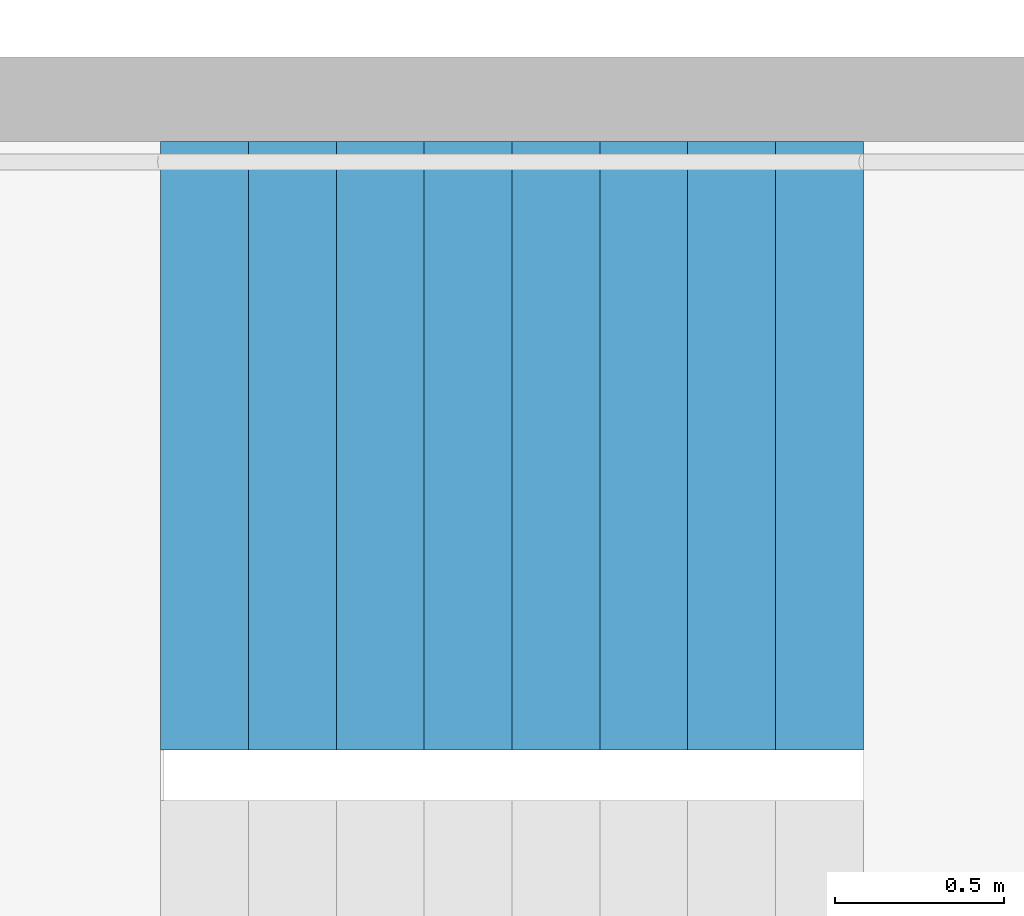
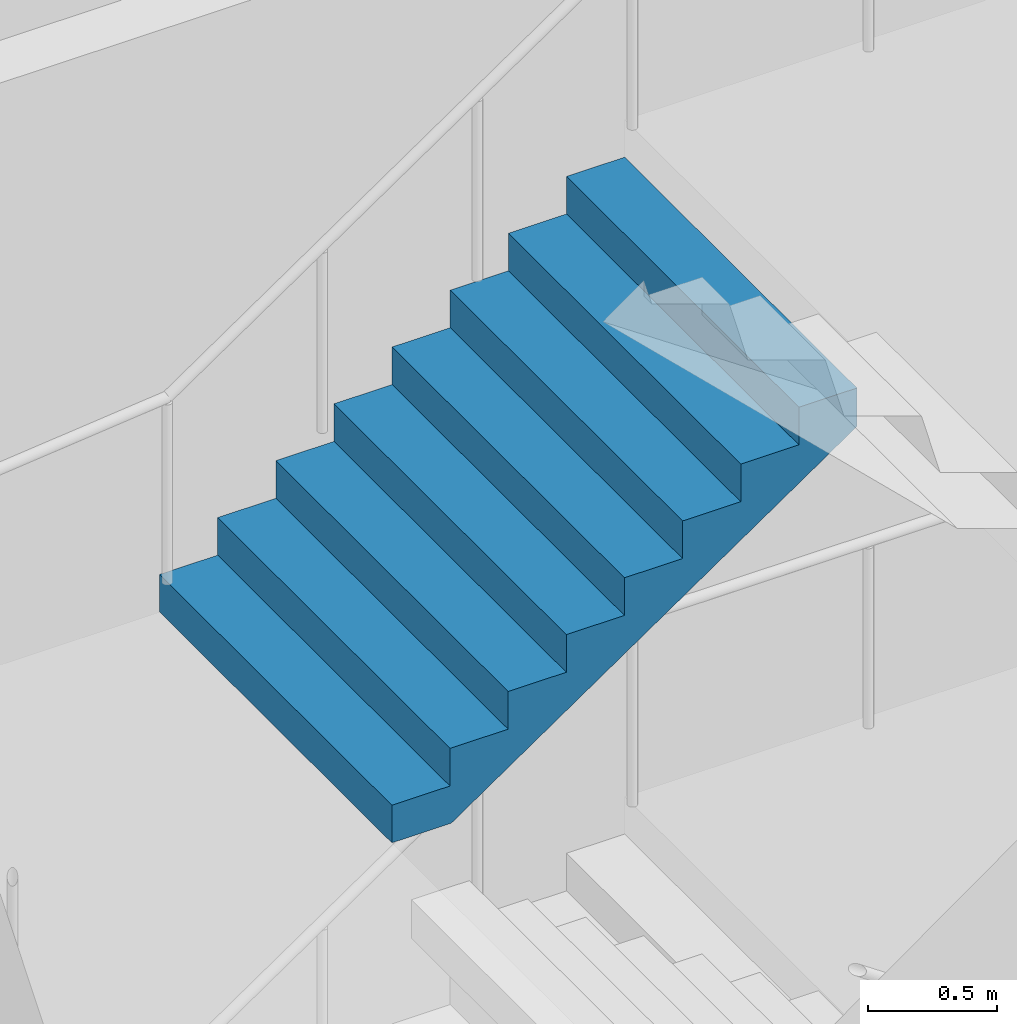
# One storey, part 27 of 42: 1 stair flight, 1 element without a shape of its own.
"""IFC4 building model written with IfcOpenShell, lengths in metres."""

from ifc_helpers import new_model, si_unit, direction, frame, origin, place, context, subcontext, project, spatial, triangles, material, type_object, element, aggregate, save


model = new_model("IFC4")

# Units and contexts
model_context = context("Model", 3, precision=1e-05, world=origin(), true_north=direction((0.0, 1.0)))
body_context = subcontext(model_context, "Body", "Model", "MODEL_VIEW")
ifc_project = project(units=[si_unit("LENGTHUNIT", "METRE"), si_unit("AREAUNIT", "SQUARE_METRE"), si_unit("VOLUMEUNIT", "CUBIC_METRE"), si_unit("PLANEANGLEUNIT", "RADIAN"), si_unit("MASSUNIT", "GRAM", prefix="KILO")], contexts=[model_context])

# Site, building, storey
site_placement = place(None, origin())
site = spatial("IfcSite", under=ifc_project, at=site_placement, CompositionType="ELEMENT")
building_placement = place(site_placement, origin())
building = spatial("IfcBuilding", under=site, at=building_placement, Name="Hakoniwa Tower and Hamabe Station Hall", CompositionType="ELEMENT")
storey_placement = place(building_placement, frame((0.0, 0.0, 232.60009765625)))
storey = spatial("IfcBuildingStorey", under=building, at=storey_placement, Name="L66", CompositionType="ELEMENT", Elevation=232.60009765625)

# Stair, stair flight
ifc_material_1 = material(Name="Concrete C40", Category="concrete")
stair_type = type_object("IfcStairType", Name="ESCAPE STAIR 1800", PredefinedType="HALF_TURN_STAIR", material=ifc_material_1)
stair_placement = place(storey_placement, origin())
stair = element("IfcStair", 1, at=stair_placement, inside=storey, type_object=stair_type, Name="Escape stair ST-4 L66", PredefinedType="HALF_TURN_STAIR")
ifc_material_2 = material(Name="Concrete C40", Category="concrete")
stair_flight_type = type_object("IfcStairFlightType", Name="STAIR FLIGHT 1800", PredefinedType="STRAIGHT", material=ifc_material_2)
stair_flight_placement = place(storey_placement, frame((23.39990234375, -4.64990234375, 3.199951171875), z_axis=(0.0, 0.0, 1.0), x_axis=(1.0, 0.0, 0.0)))
stair_flight = element("IfcStairFlight", 2, at=stair_flight_placement, type_object=stair_flight_type, Name="ST-4 flight 3", NumberOfRisers=9, NumberOfTreads=8, PredefinedType="STRAIGHT", RiserHeight=0.177777778, TreadLength=0.26, context=body_context, shape_type="Tessellation", body=[
    triangles([(0.0, 0.89990234375, 0.0), (0.260009765625, 0.89990234375, 0.0), (0.265625, 0.89990234375, 0.0), (0.52001953125, 0.89990234375, 0.174072265625), (0.780029296875, 0.89990234375, 0.351806640625), (1.0400390625, 0.89990234375, 0.529541015625), (1.300048828125, 0.89990234375, 0.707275390625), (1.56005859375, 0.89990234375, 0.885009765625), (1.820068359375, 0.89990234375, 1.062744140625), (2.080078125, 0.89990234375, 1.24072265625), (2.080078125, 0.89990234375, 1.422119140625), (1.820068359375, 0.89990234375, 1.422119140625), (1.820068359375, 0.89990234375, 1.244384765625), (1.56005859375, 0.89990234375, 1.244384765625), (1.56005859375, 0.89990234375, 1.066650390625), (1.300048828125, 0.89990234375, 1.066650390625), (1.300048828125, 0.89990234375, 0.888916015625), (1.0400390625, 0.89990234375, 0.888916015625), (1.0400390625, 0.89990234375, 0.711181640625), (0.780029296875, 0.89990234375, 0.711181640625), (0.780029296875, 0.89990234375, 0.533447265625), (0.52001953125, 0.89990234375, 0.533447265625), (0.52001953125, 0.89990234375, 0.35546875), (0.265625, 0.89990234375, 0.35546875), (0.260009765625, 0.89990234375, 0.35546875), (0.260009765625, 0.89990234375, 0.177734375), (0.0, 0.89990234375, 0.177734375), (0.0, 0.06005859375, 0.0), (0.260009765625, 0.06005859375, 0.0), (0.265625, 0.06005859375, 0.0), (0.52001953125, 0.06005859375, 0.174072265625), (0.780029296875, 0.06005859375, 0.351806640625), (1.0400390625, 0.06005859375, 0.529541015625), (1.300048828125, 0.06005859375, 0.707275390625), (1.56005859375, 0.06005859375, 0.885009765625), (1.820068359375, 0.06005859375, 1.062744140625), (2.080078125, 0.06005859375, 1.24072265625), (2.080078125, 0.06005859375, 1.422119140625), (1.820068359375, 0.06005859375, 1.422119140625), (1.820068359375, 0.06005859375, 1.244384765625), (1.56005859375, 0.06005859375, 1.244384765625), (1.56005859375, 0.06005859375, 1.066650390625), (1.300048828125, 0.06005859375, 1.066650390625), (1.300048828125, 0.06005859375, 0.888916015625), (1.0400390625, 0.06005859375, 0.888916015625), (1.0400390625, 0.06005859375, 0.711181640625), (0.780029296875, 0.06005859375, 0.711181640625), (0.780029296875, 0.06005859375, 0.533447265625), (0.52001953125, 0.06005859375, 0.533447265625), (0.52001953125, 0.06005859375, 0.35546875), (0.265625, 0.06005859375, 0.35546875), (0.260009765625, 0.06005859375, 0.35546875), (0.260009765625, 0.06005859375, 0.177734375), (0.0, 0.06005859375, 0.177734375), (0.0, 0.04296875, 0.0), (0.260009765625, 0.04296875, 0.0), (0.265625, 0.04296875, 0.0), (0.52001953125, 0.04296875, 0.174072265625), (0.780029296875, 0.04296875, 0.351806640625), (1.0400390625, 0.04296875, 0.529541015625), (1.300048828125, 0.04296875, 0.707275390625), (1.56005859375, 0.04296875, 0.885009765625), (1.820068359375, 0.04296875, 1.062744140625), (2.080078125, 0.04296875, 1.24072265625), (2.080078125, 0.04296875, 1.422119140625), (1.820068359375, 0.04296875, 1.422119140625), (1.820068359375, 0.04296875, 1.244384765625), (1.56005859375, 0.04296875, 1.244384765625), (1.56005859375, 0.04296875, 1.066650390625), (1.300048828125, 0.04296875, 1.066650390625), (1.300048828125, 0.04296875, 0.888916015625), (1.0400390625, 0.04296875, 0.888916015625), (1.0400390625, 0.04296875, 0.711181640625), (0.780029296875, 0.04296875, 0.711181640625), (0.780029296875, 0.04296875, 0.533447265625), (0.52001953125, 0.04296875, 0.533447265625), (0.52001953125, 0.04296875, 0.35546875), (0.265625, 0.04296875, 0.35546875), (0.260009765625, 0.04296875, 0.35546875), (0.260009765625, 0.04296875, 0.177734375), (0.0, 0.04296875, 0.177734375), (0.0, 0.025634765625, 0.0), (0.260009765625, 0.025634765625, 0.0), (0.265625, 0.025634765625, 0.0), (0.52001953125, 0.025634765625, 0.174072265625), (0.780029296875, 0.025634765625, 0.351806640625), (1.0400390625, 0.025634765625, 0.529541015625), (1.300048828125, 0.025634765625, 0.707275390625), (1.56005859375, 0.025634765625, 0.885009765625), (1.820068359375, 0.025634765625, 1.062744140625), (2.080078125, 0.025634765625, 1.24072265625), (2.080078125, 0.025634765625, 1.422119140625), (1.820068359375, 0.025634765625, 1.422119140625), (1.820068359375, 0.025634765625, 1.244384765625), (1.56005859375, 0.025634765625, 1.244384765625), (1.56005859375, 0.025634765625, 1.066650390625), (1.300048828125, 0.025634765625, 1.066650390625), (1.300048828125, 0.025634765625, 0.888916015625), (1.0400390625, 0.025634765625, 0.888916015625), (1.0400390625, 0.025634765625, 0.711181640625), (0.780029296875, 0.025634765625, 0.711181640625), (0.780029296875, 0.025634765625, 0.533447265625), (0.52001953125, 0.025634765625, 0.533447265625), (0.52001953125, 0.025634765625, 0.35546875), (0.265625, 0.025634765625, 0.35546875), (0.260009765625, 0.025634765625, 0.35546875), (0.260009765625, 0.025634765625, 0.177734375), (0.0, 0.025634765625, 0.177734375), (0.0, 0.008544921875, 0.0), (0.260009765625, 0.008544921875, 0.0), (0.265625, 0.008544921875, 0.0), (0.52001953125, 0.008544921875, 0.174072265625), (0.780029296875, 0.008544921875, 0.351806640625), (1.0400390625, 0.008544921875, 0.529541015625), (1.300048828125, 0.008544921875, 0.707275390625), (1.56005859375, 0.008544921875, 0.885009765625), (1.820068359375, 0.008544921875, 1.062744140625), (2.080078125, 0.008544921875, 1.24072265625), (2.080078125, 0.008544921875, 1.422119140625), (1.820068359375, 0.008544921875, 1.422119140625), (1.820068359375, 0.008544921875, 1.244384765625), (1.56005859375, 0.008544921875, 1.244384765625), (1.56005859375, 0.008544921875, 1.066650390625), (1.300048828125, 0.008544921875, 1.066650390625), (1.300048828125, 0.008544921875, 0.888916015625), (1.0400390625, 0.008544921875, 0.888916015625), (1.0400390625, 0.008544921875, 0.711181640625), (0.780029296875, 0.008544921875, 0.711181640625), (0.780029296875, 0.008544921875, 0.533447265625), (0.52001953125, 0.008544921875, 0.533447265625), (0.52001953125, 0.008544921875, 0.35546875), (0.265625, 0.008544921875, 0.35546875), (0.260009765625, 0.008544921875, 0.35546875), (0.260009765625, 0.008544921875, 0.177734375), (0.0, 0.008544921875, 0.177734375), (0.0, -0.008544921875, 0.0), (0.260009765625, -0.008544921875, 0.0), (0.265625, -0.008544921875, 0.0), (0.52001953125, -0.008544921875, 0.174072265625), (0.780029296875, -0.008544921875, 0.351806640625), (1.0400390625, -0.008544921875, 0.529541015625), (1.300048828125, -0.008544921875, 0.707275390625), (1.56005859375, -0.008544921875, 0.885009765625), (1.820068359375, -0.008544921875, 1.062744140625), (2.080078125, -0.008544921875, 1.24072265625), (2.080078125, -0.008544921875, 1.422119140625), (1.820068359375, -0.008544921875, 1.422119140625), (1.820068359375, -0.008544921875, 1.244384765625), (1.56005859375, -0.008544921875, 1.244384765625), (1.56005859375, -0.008544921875, 1.066650390625), (1.300048828125, -0.008544921875, 1.066650390625), (1.300048828125, -0.008544921875, 0.888916015625), (1.0400390625, -0.008544921875, 0.888916015625), (1.0400390625, -0.008544921875, 0.711181640625), (0.780029296875, -0.008544921875, 0.711181640625), (0.780029296875, -0.008544921875, 0.533447265625), (0.52001953125, -0.008544921875, 0.533447265625), (0.52001953125, -0.008544921875, 0.35546875), (0.265625, -0.008544921875, 0.35546875), (0.260009765625, -0.008544921875, 0.35546875), (0.260009765625, -0.008544921875, 0.177734375), (0.0, -0.008544921875, 0.177734375), (0.0, -0.025634765625, 0.0), (0.260009765625, -0.025634765625, 0.0), (0.265625, -0.025634765625, 0.0), (0.52001953125, -0.025634765625, 0.174072265625), (0.780029296875, -0.025634765625, 0.351806640625), (1.0400390625, -0.025634765625, 0.529541015625), (1.300048828125, -0.025634765625, 0.707275390625), (1.56005859375, -0.025634765625, 0.885009765625), (1.820068359375, -0.025634765625, 1.062744140625), (2.080078125, -0.025634765625, 1.24072265625), (2.080078125, -0.025634765625, 1.422119140625), (1.820068359375, -0.025634765625, 1.422119140625), (1.820068359375, -0.025634765625, 1.244384765625), (1.56005859375, -0.025634765625, 1.244384765625), (1.56005859375, -0.025634765625, 1.066650390625), (1.300048828125, -0.025634765625, 1.066650390625), (1.300048828125, -0.025634765625, 0.888916015625), (1.0400390625, -0.025634765625, 0.888916015625), (1.0400390625, -0.025634765625, 0.711181640625), (0.780029296875, -0.025634765625, 0.711181640625), (0.780029296875, -0.025634765625, 0.533447265625), (0.52001953125, -0.025634765625, 0.533447265625), (0.52001953125, -0.025634765625, 0.35546875), (0.265625, -0.025634765625, 0.35546875), (0.260009765625, -0.025634765625, 0.35546875), (0.260009765625, -0.025634765625, 0.177734375), (0.0, -0.025634765625, 0.177734375), (0.0, -0.04296875, 0.0), (0.260009765625, -0.04296875, 0.0), (0.265625, -0.04296875, 0.0), (0.52001953125, -0.04296875, 0.174072265625), (0.780029296875, -0.04296875, 0.351806640625), (1.0400390625, -0.04296875, 0.529541015625), (1.300048828125, -0.04296875, 0.707275390625), (1.56005859375, -0.04296875, 0.885009765625), (1.820068359375, -0.04296875, 1.062744140625), (2.080078125, -0.04296875, 1.24072265625), (2.080078125, -0.04296875, 1.422119140625), (1.820068359375, -0.04296875, 1.422119140625), (1.820068359375, -0.04296875, 1.244384765625), (1.56005859375, -0.04296875, 1.244384765625), (1.56005859375, -0.04296875, 1.066650390625), (1.300048828125, -0.04296875, 1.066650390625), (1.300048828125, -0.04296875, 0.888916015625), (1.0400390625, -0.04296875, 0.888916015625), (1.0400390625, -0.04296875, 0.711181640625), (0.780029296875, -0.04296875, 0.711181640625), (0.780029296875, -0.04296875, 0.533447265625), (0.52001953125, -0.04296875, 0.533447265625), (0.52001953125, -0.04296875, 0.35546875), (0.265625, -0.04296875, 0.35546875), (0.260009765625, -0.04296875, 0.35546875), (0.260009765625, -0.04296875, 0.177734375), (0.0, -0.04296875, 0.177734375), (0.0, -0.06005859375, 0.0), (0.260009765625, -0.06005859375, 0.0), (0.265625, -0.06005859375, 0.0), (0.52001953125, -0.06005859375, 0.174072265625), (0.780029296875, -0.06005859375, 0.351806640625), (1.0400390625, -0.06005859375, 0.529541015625), (1.300048828125, -0.06005859375, 0.707275390625), (1.56005859375, -0.06005859375, 0.885009765625), (1.820068359375, -0.06005859375, 1.062744140625), (2.080078125, -0.06005859375, 1.24072265625), (2.080078125, -0.06005859375, 1.422119140625), (1.820068359375, -0.06005859375, 1.422119140625), (1.820068359375, -0.06005859375, 1.244384765625), (1.56005859375, -0.06005859375, 1.244384765625), (1.56005859375, -0.06005859375, 1.066650390625), (1.300048828125, -0.06005859375, 1.066650390625), (1.300048828125, -0.06005859375, 0.888916015625), (1.0400390625, -0.06005859375, 0.888916015625), (1.0400390625, -0.06005859375, 0.711181640625), (0.780029296875, -0.06005859375, 0.711181640625), (0.780029296875, -0.06005859375, 0.533447265625), (0.52001953125, -0.06005859375, 0.533447265625), (0.52001953125, -0.06005859375, 0.35546875), (0.265625, -0.06005859375, 0.35546875), (0.260009765625, -0.06005859375, 0.35546875), (0.260009765625, -0.06005859375, 0.177734375), (0.0, -0.06005859375, 0.177734375), (0.0, -0.89990234375, 0.0), (0.260009765625, -0.89990234375, 0.0), (0.265625, -0.89990234375, 0.0), (0.52001953125, -0.89990234375, 0.174072265625), (0.780029296875, -0.89990234375, 0.351806640625), (1.0400390625, -0.89990234375, 0.529541015625), (1.300048828125, -0.89990234375, 0.707275390625), (1.56005859375, -0.89990234375, 0.885009765625), (1.820068359375, -0.89990234375, 1.062744140625), (2.080078125, -0.89990234375, 1.24072265625), (2.080078125, -0.89990234375, 1.422119140625), (1.820068359375, -0.89990234375, 1.422119140625), (1.820068359375, -0.89990234375, 1.244384765625), (1.56005859375, -0.89990234375, 1.244384765625), (1.56005859375, -0.89990234375, 1.066650390625), (1.300048828125, -0.89990234375, 1.066650390625), (1.300048828125, -0.89990234375, 0.888916015625), (1.0400390625, -0.89990234375, 0.888916015625), (1.0400390625, -0.89990234375, 0.711181640625), (0.780029296875, -0.89990234375, 0.711181640625), (0.780029296875, -0.89990234375, 0.533447265625), (0.52001953125, -0.89990234375, 0.533447265625), (0.52001953125, -0.89990234375, 0.35546875), (0.265625, -0.89990234375, 0.35546875), (0.260009765625, -0.89990234375, 0.35546875), (0.260009765625, -0.89990234375, 0.177734375), (0.0, -0.89990234375, 0.177734375)], [[2, 27, 26], [245, 269, 270], [2, 1, 27], [245, 270, 244], [3, 25, 24], [246, 267, 268], [3, 26, 25], [246, 268, 269], [3, 2, 26], [246, 269, 245], [4, 24, 23], [247, 266, 267], [4, 3, 24], [247, 267, 246], [5, 22, 21], [248, 264, 265], [5, 23, 22], [248, 265, 266], [5, 4, 23], [248, 266, 247], [6, 20, 19], [249, 262, 263], [6, 21, 20], [249, 263, 264], [6, 5, 21], [249, 264, 248], [7, 18, 17], [250, 260, 261], [7, 19, 18], [250, 261, 262], [7, 6, 19], [250, 262, 249], [8, 16, 15], [251, 258, 259], [8, 17, 16], [251, 259, 260], [8, 7, 17], [251, 260, 250], [9, 14, 13], [252, 256, 257], [9, 15, 14], [252, 257, 258], [9, 8, 15], [252, 258, 251], [10, 12, 11], [253, 254, 255], [10, 13, 12], [253, 255, 256], [10, 9, 13], [253, 256, 252], [1, 2, 29], [1, 29, 28], [28, 29, 56], [28, 56, 55], [55, 56, 83], [55, 83, 82], [82, 83, 110], [82, 110, 109], [109, 110, 137], [109, 137, 136], [136, 137, 164], [136, 164, 163], [163, 164, 191], [163, 191, 190], [190, 191, 218], [190, 218, 217], [217, 218, 245], [217, 245, 244], [2, 3, 30], [2, 30, 29], [29, 30, 57], [29, 57, 56], [56, 57, 84], [56, 84, 83], [83, 84, 111], [83, 111, 110], [110, 111, 138], [110, 138, 137], [137, 138, 165], [137, 165, 164], [164, 165, 192], [164, 192, 191], [191, 192, 219], [191, 219, 218], [218, 219, 246], [218, 246, 245], [3, 4, 31], [3, 31, 30], [30, 31, 58], [30, 58, 57], [57, 58, 85], [57, 85, 84], [84, 85, 112], [84, 112, 111], [111, 112, 139], [111, 139, 138], [138, 139, 166], [138, 166, 165], [165, 166, 193], [165, 193, 192], [192, 193, 220], [192, 220, 219], [219, 220, 247], [219, 247, 246], [4, 5, 32], [4, 32, 31], [31, 32, 59], [31, 59, 58], [58, 59, 86], [58, 86, 85], [85, 86, 113], [85, 113, 112], [112, 113, 140], [112, 140, 139], [139, 140, 167], [139, 167, 166], [166, 167, 194], [166, 194, 193], [193, 194, 221], [193, 221, 220], [220, 221, 248], [220, 248, 247], [5, 6, 33], [5, 33, 32], [32, 33, 60], [32, 60, 59], [59, 60, 87], [59, 87, 86], [86, 87, 114], [86, 114, 113], [113, 114, 141], [113, 141, 140], [140, 141, 168], [140, 168, 167], [167, 168, 195], [167, 195, 194], [194, 195, 222], [194, 222, 221], [221, 222, 249], [221, 249, 248], [6, 7, 34], [6, 34, 33], [33, 34, 61], [33, 61, 60], [60, 61, 88], [60, 88, 87], [87, 88, 115], [87, 115, 114], [114, 115, 142], [114, 142, 141], [141, 142, 169], [141, 169, 168], [168, 169, 196], [168, 196, 195], [195, 196, 223], [195, 223, 222], [222, 223, 250], [222, 250, 249], [7, 8, 35], [7, 35, 34], [34, 35, 62], [34, 62, 61], [61, 62, 89], [61, 89, 88], [88, 89, 116], [88, 116, 115], [115, 116, 143], [115, 143, 142], [142, 143, 170], [142, 170, 169], [169, 170, 197], [169, 197, 196], [196, 197, 224], [196, 224, 223], [223, 224, 251], [223, 251, 250], [8, 9, 36], [8, 36, 35], [35, 36, 63], [35, 63, 62], [62, 63, 90], [62, 90, 89], [89, 90, 117], [89, 117, 116], [116, 117, 144], [116, 144, 143], [143, 144, 171], [143, 171, 170], [170, 171, 198], [170, 198, 197], [197, 198, 225], [197, 225, 224], [224, 225, 252], [224, 252, 251], [9, 10, 37], [9, 37, 36], [36, 37, 64], [36, 64, 63], [63, 64, 91], [63, 91, 90], [90, 91, 118], [90, 118, 117], [117, 118, 145], [117, 145, 144], [144, 145, 172], [144, 172, 171], [171, 172, 199], [171, 199, 198], [198, 199, 226], [198, 226, 225], [225, 226, 253], [225, 253, 252], [10, 11, 38], [10, 38, 37], [37, 38, 65], [37, 65, 64], [64, 65, 92], [64, 92, 91], [91, 92, 119], [91, 119, 118], [118, 119, 146], [118, 146, 145], [145, 146, 173], [145, 173, 172], [172, 173, 200], [172, 200, 199], [199, 200, 227], [199, 227, 226], [226, 227, 254], [226, 254, 253], [11, 12, 39], [11, 39, 38], [38, 39, 66], [38, 66, 65], [65, 66, 93], [65, 93, 92], [92, 93, 120], [92, 120, 119], [119, 120, 147], [119, 147, 146], [146, 147, 174], [146, 174, 173], [173, 174, 201], [173, 201, 200], [200, 201, 228], [200, 228, 227], [227, 228, 255], [227, 255, 254], [12, 13, 40], [12, 40, 39], [39, 40, 67], [39, 67, 66], [66, 67, 94], [66, 94, 93], [93, 94, 121], [93, 121, 120], [120, 121, 148], [120, 148, 147], [147, 148, 175], [147, 175, 174], [174, 175, 202], [174, 202, 201], [201, 202, 229], [201, 229, 228], [228, 229, 256], [228, 256, 255], [13, 14, 41], [13, 41, 40], [40, 41, 68], [40, 68, 67], [67, 68, 95], [67, 95, 94], [94, 95, 122], [94, 122, 121], [121, 122, 149], [121, 149, 148], [148, 149, 176], [148, 176, 175], [175, 176, 203], [175, 203, 202], [202, 203, 230], [202, 230, 229], [229, 230, 257], [229, 257, 256], [14, 15, 42], [14, 42, 41], [41, 42, 69], [41, 69, 68], [68, 69, 96], [68, 96, 95], [95, 96, 123], [95, 123, 122], [122, 123, 150], [122, 150, 149], [149, 150, 177], [149, 177, 176], [176, 177, 204], [176, 204, 203], [203, 204, 231], [203, 231, 230], [230, 231, 258], [230, 258, 257], [15, 16, 43], [15, 43, 42], [42, 43, 70], [42, 70, 69], [69, 70, 97], [69, 97, 96], [96, 97, 124], [96, 124, 123], [123, 124, 151], [123, 151, 150], [150, 151, 178], [150, 178, 177], [177, 178, 205], [177, 205, 204], [204, 205, 232], [204, 232, 231], [231, 232, 259], [231, 259, 258], [16, 17, 44], [16, 44, 43], [43, 44, 71], [43, 71, 70], [70, 71, 98], [70, 98, 97], [97, 98, 125], [97, 125, 124], [124, 125, 152], [124, 152, 151], [151, 152, 179], [151, 179, 178], [178, 179, 206], [178, 206, 205], [205, 206, 233], [205, 233, 232], [232, 233, 260], [232, 260, 259], [17, 18, 45], [17, 45, 44], [44, 45, 72], [44, 72, 71], [71, 72, 99], [71, 99, 98], [98, 99, 126], [98, 126, 125], [125, 126, 153], [125, 153, 152], [152, 153, 180], [152, 180, 179], [179, 180, 207], [179, 207, 206], [206, 207, 234], [206, 234, 233], [233, 234, 261], [233, 261, 260], [18, 19, 46], [18, 46, 45], [45, 46, 73], [45, 73, 72], [72, 73, 100], [72, 100, 99], [99, 100, 127], [99, 127, 126], [126, 127, 154], [126, 154, 153], [153, 154, 181], [153, 181, 180], [180, 181, 208], [180, 208, 207], [207, 208, 235], [207, 235, 234], [234, 235, 262], [234, 262, 261], [19, 20, 47], [19, 47, 46], [46, 47, 74], [46, 74, 73], [73, 74, 101], [73, 101, 100], [100, 101, 128], [100, 128, 127], [127, 128, 155], [127, 155, 154], [154, 155, 182], [154, 182, 181], [181, 182, 209], [181, 209, 208], [208, 209, 236], [208, 236, 235], [235, 236, 263], [235, 263, 262], [20, 21, 48], [20, 48, 47], [47, 48, 75], [47, 75, 74], [74, 75, 102], [74, 102, 101], [101, 102, 129], [101, 129, 128], [128, 129, 156], [128, 156, 155], [155, 156, 183], [155, 183, 182], [182, 183, 210], [182, 210, 209], [209, 210, 237], [209, 237, 236], [236, 237, 264], [236, 264, 263], [21, 22, 49], [21, 49, 48], [48, 49, 76], [48, 76, 75], [75, 76, 103], [75, 103, 102], [102, 103, 130], [102, 130, 129], [129, 130, 157], [129, 157, 156], [156, 157, 184], [156, 184, 183], [183, 184, 211], [183, 211, 210], [210, 211, 238], [210, 238, 237], [237, 238, 265], [237, 265, 264], [22, 23, 50], [22, 50, 49], [49, 50, 77], [49, 77, 76], [76, 77, 104], [76, 104, 103], [103, 104, 131], [103, 131, 130], [130, 131, 158], [130, 158, 157], [157, 158, 185], [157, 185, 184], [184, 185, 212], [184, 212, 211], [211, 212, 239], [211, 239, 238], [238, 239, 266], [238, 266, 265], [23, 24, 51], [23, 51, 50], [50, 51, 78], [50, 78, 77], [77, 78, 105], [77, 105, 104], [104, 105, 132], [104, 132, 131], [131, 132, 159], [131, 159, 158], [158, 159, 186], [158, 186, 185], [185, 186, 213], [185, 213, 212], [212, 213, 240], [212, 240, 239], [239, 240, 267], [239, 267, 266], [24, 25, 52], [24, 52, 51], [51, 52, 79], [51, 79, 78], [78, 79, 106], [78, 106, 105], [105, 106, 133], [105, 133, 132], [132, 133, 160], [132, 160, 159], [159, 160, 187], [159, 187, 186], [186, 187, 214], [186, 214, 213], [213, 214, 241], [213, 241, 240], [240, 241, 268], [240, 268, 267], [25, 26, 53], [25, 53, 52], [52, 53, 80], [52, 80, 79], [79, 80, 107], [79, 107, 106], [106, 107, 134], [106, 134, 133], [133, 134, 161], [133, 161, 160], [160, 161, 188], [160, 188, 187], [187, 188, 215], [187, 215, 214], [214, 215, 242], [214, 242, 241], [241, 242, 269], [241, 269, 268], [26, 27, 54], [26, 54, 53], [53, 54, 81], [53, 81, 80], [80, 81, 108], [80, 108, 107], [107, 108, 135], [107, 135, 134], [134, 135, 162], [134, 162, 161], [161, 162, 189], [161, 189, 188], [188, 189, 216], [188, 216, 215], [215, 216, 243], [215, 243, 242], [242, 243, 270], [242, 270, 269], [27, 1, 28], [27, 28, 54], [54, 28, 55], [54, 55, 81], [81, 55, 82], [81, 82, 108], [108, 82, 109], [108, 109, 135], [135, 109, 136], [135, 136, 162], [162, 136, 163], [162, 163, 189], [189, 163, 190], [189, 190, 216], [216, 190, 217], [216, 217, 243], [243, 217, 244], [243, 244, 270]], closed=True),
])
aggregate(stair, [stair_flight])

save(model, "model.ifc")
